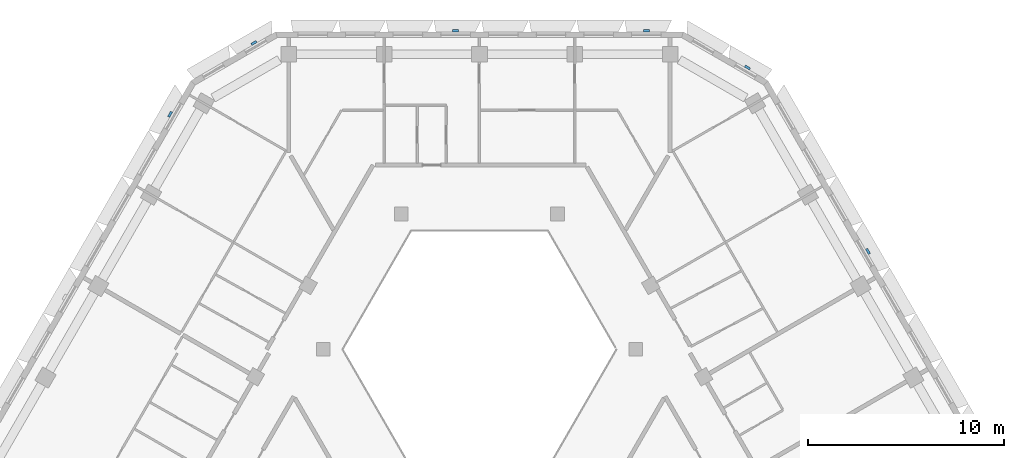
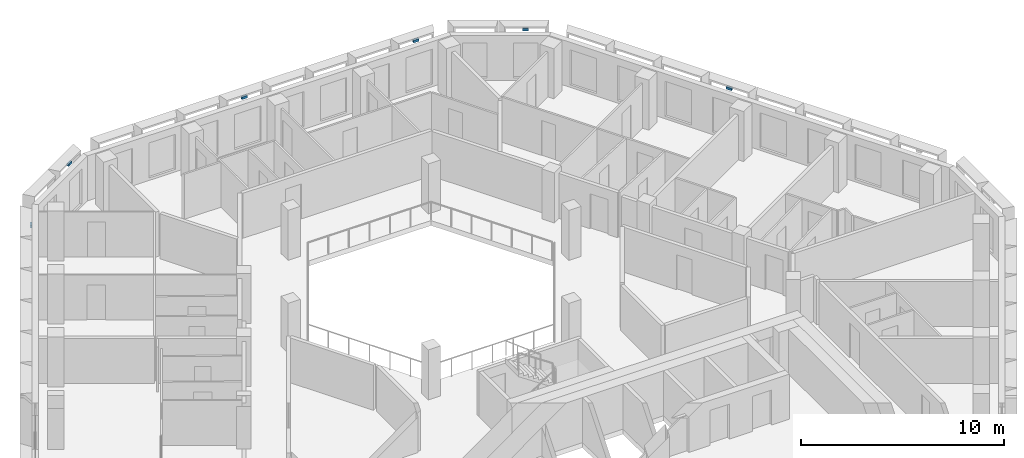
# One storey, part 11 of 18: 6 discrete accessories.
"""IFC4 building model written with IfcOpenShell, lengths in metres."""

from ifc_helpers import new_model, si_unit, direction, frame, origin, place, context, subcontext, project, spatial, polyline, outline, extrude, source, transform, mapped, material, type_object, type_shapes, element, save


model = new_model("IFC4")

# Units and contexts
model_context = context("Model", 3, precision=1e-05, world=origin(), true_north=direction((0.0, 1.0)))
body_context = subcontext(model_context, "Body", "Model", "MODEL_VIEW")
ifc_project = project(units=[si_unit("LENGTHUNIT", "METRE"), si_unit("AREAUNIT", "SQUARE_METRE"), si_unit("VOLUMEUNIT", "CUBIC_METRE"), si_unit("PLANEANGLEUNIT", "RADIAN"), si_unit("MASSUNIT", "GRAM", prefix="KILO")], contexts=[model_context])

# Site, building, storey
site_placement = place(None, origin())
site = spatial("IfcSite", under=ifc_project, at=site_placement, CompositionType="ELEMENT")
building_placement = place(site_placement, origin())
building = spatial("IfcBuilding", under=site, at=building_placement, Name="Beryl Residences", CompositionType="ELEMENT")
storey_placement = place(building_placement, frame((0.0, 0.0, 184.199951171875)))
storey = spatial("IfcBuildingStorey", under=building, at=storey_placement, Name="L56", CompositionType="ELEMENT", Elevation=184.199951171875)

# Discrete accessories
ifc_material = material(Name="Steel S355", Category="steel")
discrete_accessory_type = type_object("IfcDiscreteAccessoryType", Name="BR1 frame bracket 300 x 120 x 150 mm", PredefinedType="BRACKET", material=ifc_material)
shared_shape = source(origin(), body_context, "Body", "SweptSolid", [
    extrude(outline(polyline([(-0.14990234375, 0.0), (0.14990234375, 0.0), (0.14990234375, 0.1201171875), (-0.14990234375, 0.1201171875), (-0.14990234375, 0.0)])), origin(), (0.0, 0.0, 1.0), 0.14990234375),
])
type_shapes(discrete_accessory_type, [shared_shape])
for number, where, z_axis, x_axis, name in (
    (1, (8.511962890625, 24.199951171875, 2.75), (0.0, 0.0, 1.0), (1.0, 0.0, 0.0), "BR1 bracket L56 N 1"),
    (2, (-1.216064453125, 24.199951171875, 2.75), (0.0, 0.0, 1.0), (1.0, 0.0, 0.0), "BR1 bracket L56 N 5"),
    (3, (-11.47412109375, 23.574951171875, 2.75), (0.0, 0.0, 1.0), (0.866025403784, 0.5, 0.0), "BR1 bracket L56 N-NW 1"),
    (4, (-15.72705078125, 19.9599609375, 2.75), (0.0, 0.0, 1.0), (0.5, 0.866025403784, 0.0), "BR1 bracket L56 NW 1"),
    (5, (19.764892578125, 12.966064453125, 2.75), (0.0, 0.0, 1.0), (0.5, -0.866025403784, 0.0), "BR1 bracket L56 NE 5"),
    (6, (13.638916015625, 22.324951171875, 2.75), (0.0, 0.0, 1.0), (0.866025403784, -0.5, 0.0), "BR1 bracket L56 NE-N 1"),
):
    element("IfcDiscreteAccessory", number, at=place(storey_placement, frame(where, z_axis=z_axis, x_axis=x_axis)), inside=storey, type_object=discrete_accessory_type, Name=name, PredefinedType="BRACKET", context=body_context, shape_type="MappedRepresentation", body=[
        mapped(shared_shape, transform((0.0, 0.0, 0.0))),
    ])

save(model, "model.ifc")
